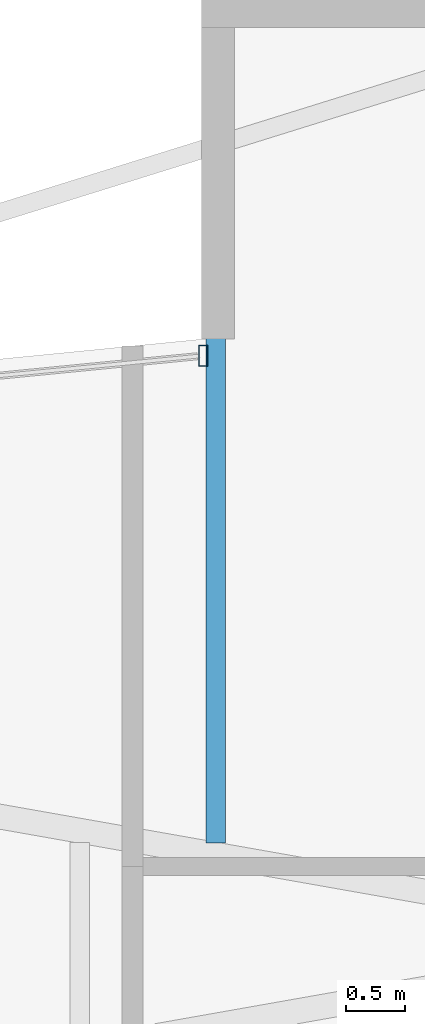
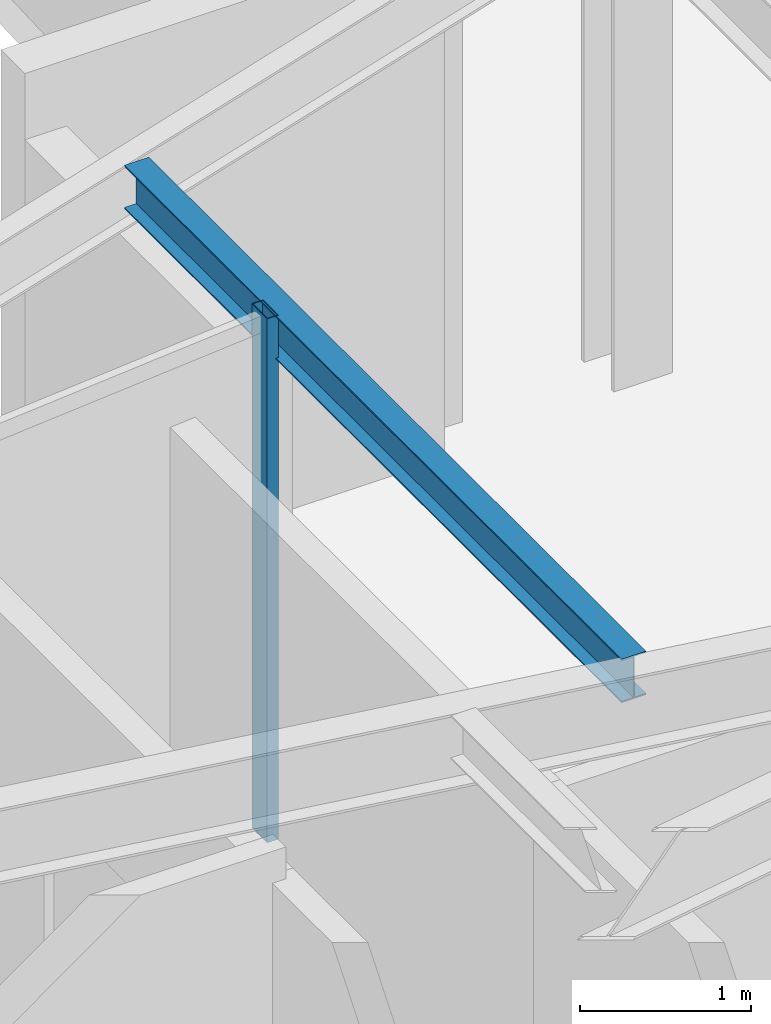
# One storey, part 9 of 23: 1 beam, 1 member, 1 element without a shape of its own.
"""IFC4 building model written with IfcOpenShell, lengths in metres."""

from ifc_helpers import new_model, si_unit, direction, frame, origin, origin_2d, place, context, subcontext, project, spatial, hollow_rectangle, i_section, extrude, material, layer, layer_set, material_profile, profile_set, type_object, element, aggregate, save


model = new_model("IFC4")

# Units and contexts
model_context = context("Model", 3, precision=1e-05, world=origin(), true_north=direction((0.0, 1.0)))
body_context = subcontext(model_context, "Body", "Model", "MODEL_VIEW")
ifc_project = project(units=[si_unit("LENGTHUNIT", "METRE"), si_unit("AREAUNIT", "SQUARE_METRE"), si_unit("VOLUMEUNIT", "CUBIC_METRE"), si_unit("PLANEANGLEUNIT", "RADIAN"), si_unit("MASSUNIT", "GRAM", prefix="KILO")], contexts=[model_context])

# Site, building, storey
site_placement = place(None, origin())
site = spatial("IfcSite", under=ifc_project, at=site_placement, CompositionType="ELEMENT")
building_placement = place(site_placement, origin())
building = spatial("IfcBuilding", under=site, at=building_placement, Name="Veymaron Broadcast Tower", CompositionType="ELEMENT")
storey_placement = place(building_placement, frame((0.0, 0.0, 252.60009765625)))
storey = spatial("IfcBuildingStorey", under=building, at=storey_placement, Name="L59", CompositionType="ELEMENT", Elevation=252.60009765625)

# Beam
ifc_material_1 = material(Name="Structural steel ASTM A992 Gr 50", Category="steel")
ifc_material_profile_1 = material_profile(ifc_material_1, i_section(OverallWidth=0.1650390625, OverallDepth=0.31005859375, WebThickness=0.005859375, FlangeThickness=0.009765625, at=origin_2d()), Name="W310X39")
ifc_profile_set_1 = profile_set([ifc_material_profile_1], Name="Structural steel ASTM A992 Gr 50")
beam_type = type_object("IfcBeamType", Name="BM-JS3", PredefinedType="JOIST", material=ifc_profile_set_1)
beam_placement = place(storey_placement, frame((27.1025390625, 24.822998046875, 3.574951171875), z_axis=(0.0, 1.0, 0.0), x_axis=(-1.0, 0.0, 0.0)))
element("IfcBeam", 1, at=beam_placement, inside=storey, type_object=beam_type, Name="L59 Arm-A secondary joist 2N", PredefinedType="JOIST", context=body_context, shape_type="SweptSolid", body=[
    extrude(i_section(OverallWidth=0.1650390625, OverallDepth=0.31005859375, WebThickness=0.005859375, FlangeThickness=0.009765625, at=origin_2d()), origin(), (0.0, 0.0, 1.0), 5.800048828125),
])

# Curtain wall, member
ifc_material_2 = material(Name="Anodised aluminium AA 6063-T6 and laminated low-E dark glass", Category="aluminium")
ifc_layer = layer(ifc_material_2, 0.179931640625)
ifc_layer_set = layer_set([ifc_layer], Name="Anodised aluminium AA 6063-T6 and laminated low-E dark glass")
curtain_wall_type = type_object("IfcCurtainWallType", Name="CW-SYS-05", PredefinedType="NOTDEFINED", material=ifc_layer_set)
curtain_wall_placement = place(storey_placement, origin())
curtain_wall = element("IfcCurtainWall", 2, at=curtain_wall_placement, inside=storey, type_object=curtain_wall_type, Name="L59 dark-glass curtain wall CW-L59-E11-1", PredefinedType="NOTDEFINED")
ifc_material_3 = material(Name="Anodised aluminium AA 6063-T6", Category="aluminium")
ifc_material_profile_2 = material_profile(ifc_material_3, hollow_rectangle(XDim=0.074951171875, YDim=0.179931640625, WallThickness=0.0048828125, at=origin_2d()), Name="AL180X75X5")
ifc_profile_set_2 = profile_set([ifc_material_profile_2], Name="Anodised aluminium AA 6063-T6")
member_type = type_object("IfcMemberType", Name="CW-MUL-02", PredefinedType="MULLION", material=ifc_profile_set_2)
member_placement = place(storey_placement, frame((26.997802734375, 28.94384765625, 0.0), z_axis=(0.0, 0.0, 1.0), x_axis=(1.0, 0.0, 0.0)))
member = element("IfcMember", 3, at=member_placement, type_object=member_type, Name="CW-L59-E11-1 mullion 0", PredefinedType="MULLION", context=body_context, shape_type="SweptSolid", body=[
    extrude(hollow_rectangle(XDim=0.074951171875, YDim=0.179931640625, WallThickness=0.0048828125, at=origin_2d()), origin(), (0.0, 0.0, 1.0), 3.72998046875),
])
aggregate(curtain_wall, [member])

save(model, "model.ifc")
